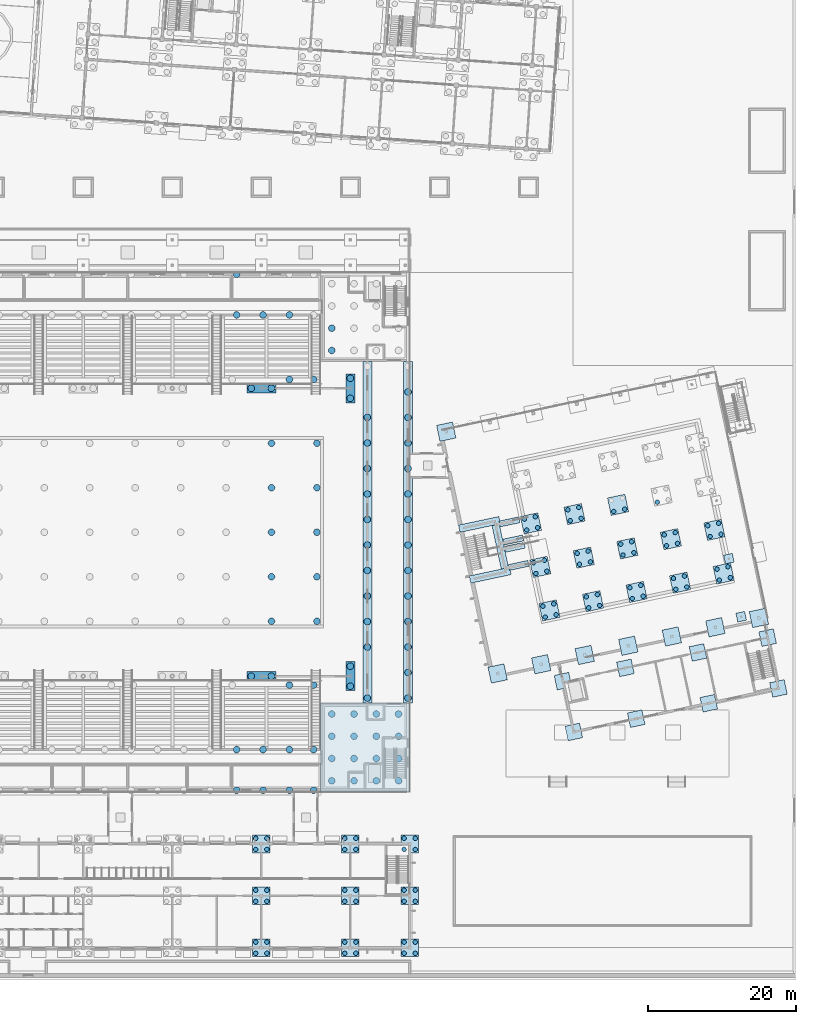
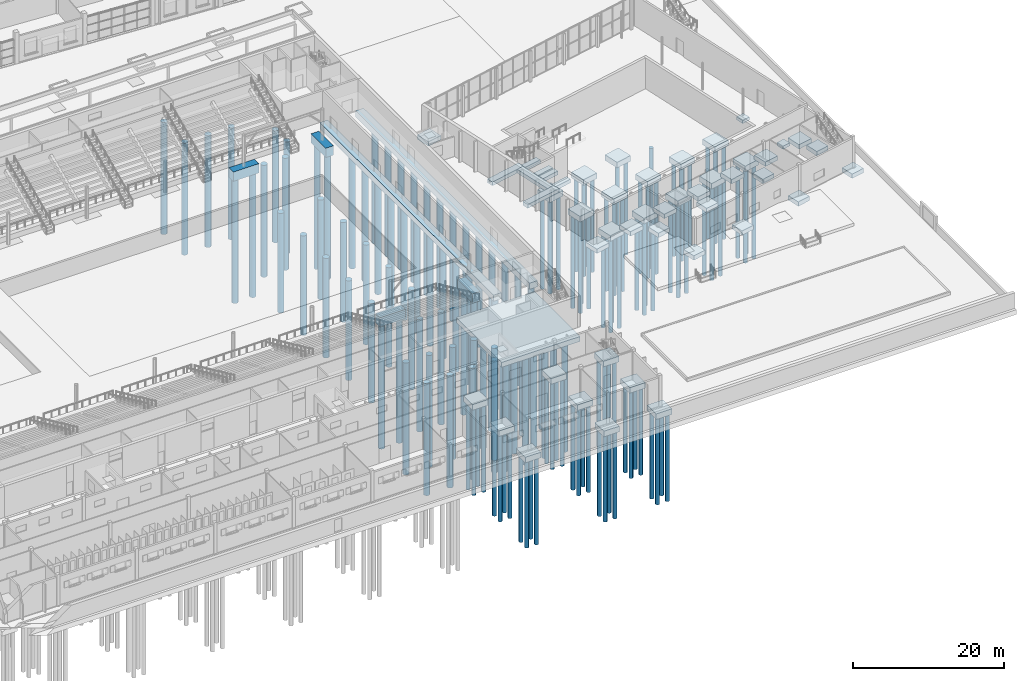
# One storey, part 5 of 157: 163 piles, 54 footings.
"""IFC4 building model written with IfcOpenShell, lengths in metres."""

from ifc_helpers import new_model, si_unit, direction, frame, origin, origin_2d, place, context, subcontext, project, spatial, rectangle, circle, extrude, material, material_profile, profile_set, type_object, element, save


model = new_model("IFC4")

# Units and contexts
model_context = context("Model", 3, precision=1e-05, world=origin(), true_north=direction((0.0, 1.0)))
body_context = subcontext(model_context, "Body", "Model", "MODEL_VIEW")
ifc_project = project(units=[si_unit("LENGTHUNIT", "METRE"), si_unit("AREAUNIT", "SQUARE_METRE"), si_unit("VOLUMEUNIT", "CUBIC_METRE"), si_unit("PLANEANGLEUNIT", "RADIAN"), si_unit("MASSUNIT", "GRAM", prefix="KILO")], contexts=[model_context])

# Site, building, storey
site_placement = place(None, origin())
site = spatial("IfcSite", under=ifc_project, at=site_placement, CompositionType="ELEMENT")
building_placement = place(site_placement, origin())
building = spatial("IfcBuilding", under=site, at=building_placement, Name="Windward Yard Aquatics Centre", CompositionType="ELEMENT")
storey_placement = place(building_placement, origin())
storey = spatial("IfcBuildingStorey", under=building, at=storey_placement, Name="L00", CompositionType="ELEMENT", Elevation=0.0)

# Piles
ifc_material_1 = material(Name="Concrete C35/45", Category="concrete")
ifc_material_profile_1 = material_profile(ifc_material_1, circle(Radius=0.300048828125, at=origin_2d()), Name="RC D600")
ifc_profile_set_1 = profile_set([ifc_material_profile_1], Name="Concrete C35/45")
pile_type_1 = type_object("IfcPileType", Name="C bored pile D600", PredefinedType="BORED", material=ifc_profile_set_1)
for number, where, z_axis, x_axis, name in (
    (1, (131.25, 4.25, -1.050048828125), (0.0, 0.0, -1.0), (1.0, 0.0, 0.0), "C.PL.8.1.1"),
    (2, (132.75, 4.25, -1.050048828125), (0.0, 0.0, -1.0), (1.0, 0.0, 0.0), "C.PL.8.1.2"),
    (3, (132.75, 5.75, -1.050048828125), (0.0, 0.0, -1.0), (1.0, 0.0, 0.0), "C.PL.8.1.3"),
    (4, (131.25, 5.75, -1.050048828125), (0.0, 0.0, -1.0), (1.0, 0.0, 0.0), "C.PL.8.1.4"),
    (5, (131.25, 11.25, -1.050048828125), (0.0, 0.0, -1.0), (1.0, 0.0, 0.0), "C.PL.8.2.1"),
    (6, (132.75, 11.25, -1.050048828125), (0.0, 0.0, -1.0), (1.0, 0.0, 0.0), "C.PL.8.2.2"),
    (7, (132.75, 12.75, -1.050048828125), (0.0, 0.0, -1.0), (1.0, 0.0, 0.0), "C.PL.8.2.3"),
    (8, (131.25, 12.75, -1.050048828125), (0.0, 0.0, -1.0), (1.0, 0.0, 0.0), "C.PL.8.2.4"),
    (9, (131.25, 18.25, -1.050048828125), (0.0, 0.0, -1.0), (1.0, 0.0, 0.0), "C.PL.8.3.1"),
    (10, (132.75, 18.25, -1.050048828125), (0.0, 0.0, -1.0), (1.0, 0.0, 0.0), "C.PL.8.3.2"),
    (11, (132.75, 19.75, -1.050048828125), (0.0, 0.0, -1.0), (1.0, 0.0, 0.0), "C.PL.8.3.3"),
    (12, (131.25, 19.75, -1.050048828125), (0.0, 0.0, -1.0), (1.0, 0.0, 0.0), "C.PL.8.3.4"),
    (13, (143.25, 4.25, -1.050048828125), (0.0, 0.0, -1.0), (1.0, 0.0, 0.0), "C.PL.9.1.1"),
    (14, (144.75, 4.25, -1.050048828125), (0.0, 0.0, -1.0), (1.0, 0.0, 0.0), "C.PL.9.1.2"),
    (15, (144.75, 5.75, -1.050048828125), (0.0, 0.0, -1.0), (1.0, 0.0, 0.0), "C.PL.9.1.3"),
    (16, (143.25, 5.75, -1.050048828125), (0.0, 0.0, -1.0), (1.0, 0.0, 0.0), "C.PL.9.1.4"),
    (17, (143.25, 11.25, -1.050048828125), (0.0, 0.0, -1.0), (1.0, 0.0, 0.0), "C.PL.9.2.1"),
    (18, (144.75, 11.25, -1.050048828125), (0.0, 0.0, -1.0), (1.0, 0.0, 0.0), "C.PL.9.2.2"),
    (19, (144.75, 12.75, -1.050048828125), (0.0, 0.0, -1.0), (1.0, 0.0, 0.0), "C.PL.9.2.3"),
    (20, (143.25, 12.75, -1.050048828125), (0.0, 0.0, -1.0), (1.0, 0.0, 0.0), "C.PL.9.2.4"),
    (21, (143.25, 18.25, -1.050048828125), (0.0, 0.0, -1.0), (1.0, 0.0, 0.0), "C.PL.9.3.1"),
    (22, (144.75, 18.25, -1.050048828125), (0.0, 0.0, -1.0), (1.0, 0.0, 0.0), "C.PL.9.3.2"),
    (23, (144.75, 19.75, -1.050048828125), (0.0, 0.0, -1.0), (1.0, 0.0, 0.0), "C.PL.9.3.3"),
    (24, (143.25, 19.75, -1.050048828125), (0.0, 0.0, -1.0), (1.0, 0.0, 0.0), "C.PL.9.3.4"),
    (25, (151.25, 4.25, -1.050048828125), (0.0, 0.0, -1.0), (1.0, 0.0, 0.0), "C.PL.10.1.1"),
    (26, (152.75, 4.25, -1.050048828125), (0.0, 0.0, -1.0), (1.0, 0.0, 0.0), "C.PL.10.1.2"),
    (27, (152.75, 5.75, -1.050048828125), (0.0, 0.0, -1.0), (1.0, 0.0, 0.0), "C.PL.10.1.3"),
    (28, (151.25, 5.75, -1.050048828125), (0.0, 0.0, -1.0), (1.0, 0.0, 0.0), "C.PL.10.1.4"),
    (29, (151.25, 11.25, -1.050048828125), (0.0, 0.0, -1.0), (1.0, 0.0, 0.0), "C.PL.10.2.1"),
    (30, (152.75, 11.25, -1.050048828125), (0.0, 0.0, -1.0), (1.0, 0.0, 0.0), "C.PL.10.2.2"),
    (31, (152.75, 12.75, -1.050048828125), (0.0, 0.0, -1.0), (1.0, 0.0, 0.0), "C.PL.10.2.3"),
    (32, (151.25, 12.75, -1.050048828125), (0.0, 0.0, -1.0), (1.0, 0.0, 0.0), "C.PL.10.2.4"),
    (33, (151.25, 18.25, -1.050048828125), (0.0, 0.0, -1.0), (1.0, 0.0, 0.0), "C.PL.10.3.1"),
    (34, (152.75, 18.25, -1.050048828125), (0.0, 0.0, -1.0), (1.0, 0.0, 0.0), "C.PL.10.3.2"),
    (35, (152.75, 19.75, -1.050048828125), (0.0, 0.0, -1.0), (1.0, 0.0, 0.0), "C.PL.10.3.3"),
    (36, (151.25, 19.75, -1.050048828125), (0.0, 0.0, -1.0), (1.0, 0.0, 0.0), "C.PL.10.3.4"),
):
    element("IfcPile", number, at=place(storey_placement, frame(where, z_axis=z_axis, x_axis=x_axis)), inside=storey, type_object=pile_type_1, Name=name, PredefinedType="BORED", context=body_context, shape_type="SweptSolid", body=[
        extrude(circle(Radius=0.300048828125, at=origin_2d()), origin(), (0.0, 0.0, 1.0), 14.10009765625),
    ])

# Footings
footing_type_1 = type_object("IfcFootingType", Name="C pile cap 2400X2400X900", PredefinedType="PILE_CAP", material=ifc_material_1)
for number, where, z_axis, x_axis, name in (
    (37, (132.0, 5.0, -1.14990234375), (0.0, 0.0, 1.0), (1.0, 0.0, 0.0), "C.PC.8.1"),
    (38, (132.0, 12.0, -1.14990234375), (0.0, 0.0, 1.0), (1.0, 0.0, 0.0), "C.PC.8.2"),
    (39, (132.0, 19.0, -1.14990234375), (0.0, 0.0, 1.0), (1.0, 0.0, 0.0), "C.PC.8.3"),
    (40, (144.0, 5.0, -1.14990234375), (0.0, 0.0, 1.0), (1.0, 0.0, 0.0), "C.PC.9.1"),
    (41, (144.0, 12.0, -1.14990234375), (0.0, 0.0, 1.0), (1.0, 0.0, 0.0), "C.PC.9.2"),
    (42, (144.0, 19.0, -1.14990234375), (0.0, 0.0, 1.0), (1.0, 0.0, 0.0), "C.PC.9.3"),
    (43, (152.0, 5.0, -1.14990234375), (0.0, 0.0, 1.0), (1.0, 0.0, 0.0), "C.PC.10.1"),
    (44, (152.0, 12.0, -1.14990234375), (0.0, 0.0, 1.0), (1.0, 0.0, 0.0), "C.PC.10.2"),
    (45, (152.0, 19.0, -1.14990234375), (0.0, 0.0, 1.0), (1.0, 0.0, 0.0), "C.PC.10.3"),
):
    element("IfcFooting", number, at=place(storey_placement, frame(where, z_axis=z_axis, x_axis=x_axis)), inside=storey, type_object=footing_type_1, Name=name, PredefinedType="PILE_CAP", context=body_context, shape_type="SweptSolid", body=[
        extrude(rectangle(XDim=2.39990234375, YDim=2.39990234375, at=origin_2d()), origin(), (0.0, 0.0, 1.0), 0.89990234375),
    ])

# Piles
ifc_material_2 = material(Name="Concrete C40/50", Category="concrete")
ifc_material_profile_2 = material_profile(ifc_material_2, circle(Radius=0.300048828125, at=origin_2d()), Name="RC D600")
ifc_profile_set_2 = profile_set([ifc_material_profile_2], Name="Concrete C40/50")
pile_type_2 = type_object("IfcPileType", Name="D bored pile D600", PredefinedType="BORED", material=ifc_profile_set_2)
for number, where, z_axis, x_axis, name in (
    (46, (170.26513671875, 49.5703125, -6.39990234375), (0.0, 0.0, -1.0), (1.0, 0.0, 0.0), "D.PL.T1.1.1"),
    (47, (171.732421875, 49.882080078125, -6.39990234375), (0.0, 0.0, -1.0), (1.0, 0.0, 0.0), "D.PL.T1.1.2"),
    (48, (171.420654296875, 51.349365234375, -6.39990234375), (0.0, 0.0, -1.0), (1.0, 0.0, 0.0), "D.PL.T1.1.3"),
    (49, (169.953369140625, 51.03759765625, -6.39990234375), (0.0, 0.0, -1.0), (1.0, 0.0, 0.0), "D.PL.T1.1.4"),
    (50, (169.017822265625, 55.439208984375, -6.39990234375), (0.0, 0.0, -1.0), (1.0, 0.0, 0.0), "D.PL.T1.2.1"),
    (51, (170.485107421875, 55.7509765625, -6.39990234375), (0.0, 0.0, -1.0), (1.0, 0.0, 0.0), "D.PL.T1.2.2"),
    (52, (170.173095703125, 57.21826171875, -6.39990234375), (0.0, 0.0, -1.0), (1.0, 0.0, 0.0), "D.PL.T1.2.3"),
    (53, (168.7060546875, 56.906494140625, -6.39990234375), (0.0, 0.0, -1.0), (1.0, 0.0, 0.0), "D.PL.T1.2.4"),
    (54, (167.770263671875, 61.30810546875, -6.39990234375), (0.0, 0.0, -1.0), (1.0, 0.0, 0.0), "D.PL.T1.3.1"),
    (55, (169.237548828125, 61.619873046875, -6.39990234375), (0.0, 0.0, -1.0), (1.0, 0.0, 0.0), "D.PL.T1.3.2"),
    (56, (168.92578125, 63.087158203125, -6.39990234375), (0.0, 0.0, -1.0), (1.0, 0.0, 0.0), "D.PL.T1.3.3"),
    (57, (167.45849609375, 62.775390625, -6.39990234375), (0.0, 0.0, -1.0), (1.0, 0.0, 0.0), "D.PL.T1.3.4"),
    (58, (176.134033203125, 50.81787109375, -6.39990234375), (0.0, 0.0, -1.0), (1.0, 0.0, 0.0), "D.PL.T2.1.1"),
    (59, (177.601318359375, 51.129638671875, -6.39990234375), (0.0, 0.0, -1.0), (1.0, 0.0, 0.0), "D.PL.T2.1.2"),
    (60, (177.28955078125, 52.596923828125, -6.39990234375), (0.0, 0.0, -1.0), (1.0, 0.0, 0.0), "D.PL.T2.1.3"),
    (61, (175.822265625, 52.284912109375, -6.39990234375), (0.0, 0.0, -1.0), (1.0, 0.0, 0.0), "D.PL.T2.1.4"),
    (62, (174.88671875, 56.6865234375, -6.39990234375), (0.0, 0.0, -1.0), (1.0, 0.0, 0.0), "D.PL.T2.2.1"),
    (63, (176.35400390625, 56.99853515625, -6.39990234375), (0.0, 0.0, -1.0), (1.0, 0.0, 0.0), "D.PL.T2.2.2"),
    (64, (176.0419921875, 58.465576171875, -6.39990234375), (0.0, 0.0, -1.0), (1.0, 0.0, 0.0), "D.PL.T2.2.3"),
    (65, (174.574951171875, 58.15380859375, -6.39990234375), (0.0, 0.0, -1.0), (1.0, 0.0, 0.0), "D.PL.T2.2.4"),
    (66, (173.63916015625, 62.555419921875, -6.39990234375), (0.0, 0.0, -1.0), (1.0, 0.0, 0.0), "D.PL.T2.3.1"),
    (67, (175.1064453125, 62.867431640625, -6.39990234375), (0.0, 0.0, -1.0), (1.0, 0.0, 0.0), "D.PL.T2.3.2"),
    (68, (174.794677734375, 64.33447265625, -6.39990234375), (0.0, 0.0, -1.0), (1.0, 0.0, 0.0), "D.PL.T2.3.3"),
    (69, (173.327392578125, 64.022705078125, -6.39990234375), (0.0, 0.0, -1.0), (1.0, 0.0, 0.0), "D.PL.T2.3.4"),
    (70, (182.0029296875, 52.065185546875, -6.39990234375), (0.0, 0.0, -1.0), (1.0, 0.0, 0.0), "D.PL.T3.1.1"),
    (71, (183.47021484375, 52.376953125, -6.39990234375), (0.0, 0.0, -1.0), (1.0, 0.0, 0.0), "D.PL.T3.1.2"),
    (72, (183.158447265625, 53.84423828125, -6.39990234375), (0.0, 0.0, -1.0), (1.0, 0.0, 0.0), "D.PL.T3.1.3"),
    (73, (181.691162109375, 53.532470703125, -6.39990234375), (0.0, 0.0, -1.0), (1.0, 0.0, 0.0), "D.PL.T3.1.4"),
    (74, (180.755615234375, 57.93408203125, -6.39990234375), (0.0, 0.0, -1.0), (1.0, 0.0, 0.0), "D.PL.T3.2.1"),
    (75, (182.22265625, 58.245849609375, -6.39990234375), (0.0, 0.0, -1.0), (1.0, 0.0, 0.0), "D.PL.T3.2.2"),
    (76, (181.910888671875, 59.713134765625, -6.39990234375), (0.0, 0.0, -1.0), (1.0, 0.0, 0.0), "D.PL.T3.2.3"),
    (77, (180.443603515625, 59.4013671875, -6.39990234375), (0.0, 0.0, -1.0), (1.0, 0.0, 0.0), "D.PL.T3.2.4"),
    (78, (179.508056640625, 63.802978515625, -6.39990234375), (0.0, 0.0, -1.0), (1.0, 0.0, 0.0), "D.PL.T3.3.1"),
    (79, (180.975341796875, 64.11474609375, -6.39990234375), (0.0, 0.0, -1.0), (1.0, 0.0, 0.0), "D.PL.T3.3.2"),
    (80, (187.871826171875, 53.312744140625, -6.39990234375), (0.0, 0.0, -1.0), (1.0, 0.0, 0.0), "D.PL.T4.1.1"),
    (81, (189.339111328125, 53.62451171875, -6.39990234375), (0.0, 0.0, -1.0), (1.0, 0.0, 0.0), "D.PL.T4.1.2"),
    (82, (189.02734375, 55.091796875, -6.39990234375), (0.0, 0.0, -1.0), (1.0, 0.0, 0.0), "D.PL.T4.1.3"),
    (83, (187.56005859375, 54.77978515625, -6.39990234375), (0.0, 0.0, -1.0), (1.0, 0.0, 0.0), "D.PL.T4.1.4"),
    (84, (186.62451171875, 59.181640625, -6.39990234375), (0.0, 0.0, -1.0), (1.0, 0.0, 0.0), "D.PL.T4.2.1"),
    (85, (188.091552734375, 59.493408203125, -6.39990234375), (0.0, 0.0, -1.0), (1.0, 0.0, 0.0), "D.PL.T4.2.2"),
    (86, (187.77978515625, 60.960693359375, -6.39990234375), (0.0, 0.0, -1.0), (1.0, 0.0, 0.0), "D.PL.T4.2.3"),
    (87, (186.3125, 60.648681640625, -6.39990234375), (0.0, 0.0, -1.0), (1.0, 0.0, 0.0), "D.PL.T4.2.4"),
    (88, (185.376953125, 65.050537109375, -6.39990234375), (0.0, 0.0, -1.0), (1.0, 0.0, 0.0), "D.PL.T4.3.1"),
    (89, (193.74072265625, 54.56005859375, -6.39990234375), (0.0, 0.0, -1.0), (1.0, 0.0, 0.0), "D.PL.T5.1.1"),
    (90, (195.2080078125, 54.8720703125, -6.39990234375), (0.0, 0.0, -1.0), (1.0, 0.0, 0.0), "D.PL.T5.1.2"),
    (91, (194.896240234375, 56.33935546875, -6.39990234375), (0.0, 0.0, -1.0), (1.0, 0.0, 0.0), "D.PL.T5.1.3"),
    (92, (193.428955078125, 56.02734375, -6.39990234375), (0.0, 0.0, -1.0), (1.0, 0.0, 0.0), "D.PL.T5.1.4"),
    (93, (192.493408203125, 60.428955078125, -6.39990234375), (0.0, 0.0, -1.0), (1.0, 0.0, 0.0), "D.PL.T5.2.1"),
    (94, (193.96044921875, 60.74072265625, -6.39990234375), (0.0, 0.0, -1.0), (1.0, 0.0, 0.0), "D.PL.T5.2.2"),
    (95, (193.648681640625, 62.2080078125, -6.39990234375), (0.0, 0.0, -1.0), (1.0, 0.0, 0.0), "D.PL.T5.2.3"),
    (96, (192.181396484375, 61.896240234375, -6.39990234375), (0.0, 0.0, -1.0), (1.0, 0.0, 0.0), "D.PL.T5.2.4"),
):
    element("IfcPile", number, at=place(storey_placement, frame(where, z_axis=z_axis, x_axis=x_axis)), inside=storey, type_object=pile_type_2, Name=name, PredefinedType="BORED", context=body_context, shape_type="SweptSolid", body=[
        extrude(circle(Radius=0.300048828125, at=origin_2d()), origin(), (0.0, 0.0, 1.0), 15.10009765625),
    ])

# Footings
footing_type_2 = type_object("IfcFootingType", Name="D pad footing 1200X1200X500", PredefinedType="PAD_FOOTING", material=ifc_material_1)
for number, where, z_axis, x_axis, name in (
    (97, (196.68359375, 49.614013671875, -0.75), (0.0, 0.0, 1.0), (0.978147600734, 0.207911690818, 0.0), "D.PF.G1"),
    (98, (195.020263671875, 57.43896484375, -0.75), (0.0, 0.0, 1.0), (0.978147600734, 0.207911690818, 0.0), "D.PF.G2"),
):
    element("IfcFooting", number, at=place(storey_placement, frame(where, z_axis=z_axis, x_axis=x_axis)), inside=storey, type_object=footing_type_2, Name=name, PredefinedType="PAD_FOOTING", context=body_context, shape_type="SweptSolid", body=[
        extrude(rectangle(XDim=1.199951171875, YDim=1.199951171875, at=origin_2d()), origin(), (0.0, 0.0, 1.0), 0.5),
    ])
footing_type_3 = type_object("IfcFootingType", Name="D pad footing 2000X2000X700", PredefinedType="PAD_FOOTING", material=ifc_material_1)
for number, where, z_axis, x_axis, name in (
    (99, (174.119384765625, 34.0830078125, -0.9501953125), (0.0, 0.0, 1.0), (0.978147600734, 0.207911690818, 0.0), "D.PF.1.1"),
    (100, (172.6640625, 40.93017578125, -0.9501953125), (0.0, 0.0, 1.0), (0.978147600734, 0.207911690818, 0.0), "D.PF.1.2"),
    (101, (182.531494140625, 35.87109375, -0.9501953125), (0.0, 0.0, 1.0), (0.978147600734, 0.207911690818, 0.0), "D.PF.2.1"),
    (102, (181.076171875, 42.71826171875, -0.9501953125), (0.0, 0.0, 1.0), (0.978147600734, 0.207911690818, 0.0), "D.PF.2.2"),
    (103, (192.31298828125, 37.9501953125, -0.9501953125), (0.0, 0.0, 1.0), (0.978147600734, 0.207911690818, 0.0), "D.PF.3.1"),
    (104, (190.857666015625, 44.79736328125, -0.9501953125), (0.0, 0.0, 1.0), (0.978147600734, 0.207911690818, 0.0), "D.PF.3.2"),
    (105, (201.703125, 39.9462890625, -0.9501953125), (0.0, 0.0, 1.0), (0.978147600734, 0.207911690818, 0.0), "D.PF.4.1"),
    (106, (200.247802734375, 46.793212890625, -0.9501953125), (0.0, 0.0, 1.0), (0.978147600734, 0.207911690818, 0.0), "D.PF.4.2"),
):
    element("IfcFooting", number, at=place(storey_placement, frame(where, z_axis=z_axis, x_axis=x_axis)), inside=storey, type_object=footing_type_3, Name=name, PredefinedType="PAD_FOOTING", context=body_context, shape_type="SweptSolid", body=[
        extrude(rectangle(XDim=2.0, YDim=2.0, at=origin_2d()), origin(), (0.0, 0.0, 1.0), 0.699951171875),
    ])
footing_type_4 = type_object("IfcFootingType", Name="D pad footing 2200X2200X700", PredefinedType="PAD_FOOTING", material=ifc_material_1)
for number, where, z_axis, x_axis, name in (
    (107, (163.857177734375, 41.961669921875, -0.9501953125), (0.0, 0.0, 1.0), (0.978147600734, 0.207911690818, 0.0), "D.PF.H1.1"),
    (108, (156.929443359375, 74.553466796875, -0.9501953125), (0.0, 0.0, 1.0), (0.978147600734, 0.207911690818, 0.0), "D.PF.H1.2"),
    (109, (169.72607421875, 43.208984375, -0.9501953125), (0.0, 0.0, 1.0), (0.978147600734, 0.207911690818, 0.0), "D.PF.H2.1"),
    (110, (175.594970703125, 44.45654296875, -0.9501953125), (0.0, 0.0, 1.0), (0.978147600734, 0.207911690818, 0.0), "D.PF.H3.1"),
    (111, (181.4638671875, 45.7041015625, -0.9501953125), (0.0, 0.0, 1.0), (0.978147600734, 0.207911690818, 0.0), "D.PF.H4.1"),
    (112, (187.332763671875, 46.951416015625, -0.9501953125), (0.0, 0.0, 1.0), (0.978147600734, 0.207911690818, 0.0), "D.PF.H5.1"),
    (113, (193.20166015625, 48.198974609375, -0.9501953125), (0.0, 0.0, 1.0), (0.978147600734, 0.207911690818, 0.0), "D.PF.H6.1"),
    (114, (199.070556640625, 49.446533203125, -0.9501953125), (0.0, 0.0, 1.0), (0.978147600734, 0.207911690818, 0.0), "D.PF.H7.1"),
):
    element("IfcFooting", number, at=place(storey_placement, frame(where, z_axis=z_axis, x_axis=x_axis)), inside=storey, type_object=footing_type_4, Name=name, PredefinedType="PAD_FOOTING", context=body_context, shape_type="SweptSolid", body=[
        extrude(rectangle(XDim=2.199951171875, YDim=2.199951171875, at=origin_2d()), origin(), (0.0, 0.0, 1.0), 0.699951171875),
    ])
footing_type_5 = type_object("IfcFootingType", Name="D pile cap 2400X2400X900", PredefinedType="PILE_CAP", material=ifc_material_2)
for number, where, z_axis, x_axis, name in (
    (115, (170.843017578125, 50.459716796875, -6.5), (0.0, 0.0, 1.0), (0.978147600734, 0.207911690818, 0.0), "D.PC.T1.1"),
    (116, (169.595458984375, 56.32861328125, -6.5), (0.0, 0.0, 1.0), (0.978147600734, 0.207911690818, 0.0), "D.PC.T1.2"),
    (117, (168.347900390625, 62.197509765625, -6.5), (0.0, 0.0, 1.0), (0.978147600734, 0.207911690818, 0.0), "D.PC.T1.3"),
    (118, (176.7119140625, 51.707275390625, -6.5), (0.0, 0.0, 1.0), (0.978147600734, 0.207911690818, 0.0), "D.PC.T2.1"),
    (119, (175.46435546875, 57.576171875, -6.5), (0.0, 0.0, 1.0), (0.978147600734, 0.207911690818, 0.0), "D.PC.T2.2"),
    (120, (174.216796875, 63.445068359375, -6.5), (0.0, 0.0, 1.0), (0.978147600734, 0.207911690818, 0.0), "D.PC.T2.3"),
    (121, (182.580810546875, 52.95458984375, -6.5), (0.0, 0.0, 1.0), (0.978147600734, 0.207911690818, 0.0), "D.PC.T3.1"),
    (122, (181.333251953125, 58.823486328125, -6.5), (0.0, 0.0, 1.0), (0.978147600734, 0.207911690818, 0.0), "D.PC.T3.2"),
    (123, (180.085693359375, 64.6923828125, -6.5), (0.0, 0.0, 1.0), (0.978147600734, 0.207911690818, 0.0), "D.PC.T3.3"),
    (124, (188.44970703125, 54.2021484375, -6.5), (0.0, 0.0, 1.0), (0.978147600734, 0.207911690818, 0.0), "D.PC.T4.1"),
    (125, (187.2021484375, 60.071044921875, -6.5), (0.0, 0.0, 1.0), (0.978147600734, 0.207911690818, 0.0), "D.PC.T4.2"),
    (126, (194.318603515625, 55.44970703125, -6.5), (0.0, 0.0, 1.0), (0.978147600734, 0.207911690818, 0.0), "D.PC.T5.1"),
    (127, (193.071044921875, 61.318603515625, -6.5), (0.0, 0.0, 1.0), (0.978147600734, 0.207911690818, 0.0), "D.PC.T5.2"),
):
    element("IfcFooting", number, at=place(storey_placement, frame(where, z_axis=z_axis, x_axis=x_axis)), inside=storey, type_object=footing_type_5, Name=name, PredefinedType="PILE_CAP", context=body_context, shape_type="SweptSolid", body=[
        extrude(rectangle(XDim=2.39990234375, YDim=2.39990234375, at=origin_2d()), origin(), (0.0, 0.0, 1.0), 0.89990234375),
    ])
footing_type_6 = type_object("IfcFootingType", Name="D strip footing 1000X600", PredefinedType="STRIP_FOOTING", material=ifc_material_1)
for number, where, z_axis, x_axis, name in (
    (128, (162.857177734375, 55.203125, -0.85009765625), (0.0, 0.0, 1.0), (0.978147600734, 0.207911690818, 0.0), "D.SF.TS"),
    (129, (161.40185546875, 62.050048828125, -0.85009765625), (0.0, 0.0, 1.0), (0.978147600734, 0.207911690818, 0.0), "D.SF.TN"),
):
    element("IfcFooting", number, at=place(storey_placement, frame(where, z_axis=z_axis, x_axis=x_axis)), inside=storey, type_object=footing_type_6, Name=name, PredefinedType="STRIP_FOOTING", context=body_context, shape_type="SweptSolid", body=[
        extrude(rectangle(XDim=5.550048828125, YDim=1.0, at=origin_2d()), origin(), (0.0, 0.0, 1.0), 0.60009765625),
    ])
footing_type_7 = type_object("IfcFootingType", Name="D strip footing 6000X600", PredefinedType="STRIP_FOOTING", material=ifc_material_1)
footing_1_placement = place(storey_placement, frame((164.2080078125, 59.068359375, -0.85009765625), z_axis=(0.0, 0.0, 1.0), x_axis=(0.978147600734, 0.207911690818, 0.0)))
element("IfcFooting", 130, at=footing_1_placement, inside=storey, type_object=footing_type_7, Name="D.SF.TE", PredefinedType="STRIP_FOOTING", context=body_context, shape_type="SweptSolid", body=[
    extrude(rectangle(XDim=1.0, YDim=6.0, at=origin_2d()), origin(), (0.0, 0.0, 1.0), 0.60009765625),
])
footing_type_8 = type_object("IfcFootingType", Name="D strip footing 800X600", PredefinedType="STRIP_FOOTING", material=ifc_material_1)
for number, where, z_axis, x_axis, name in (
    (131, (166.690185546875, 56.529052734375, -0.85009765625), (0.0, 0.0, 1.0), (0.978147600734, 0.207911690818, 0.0), "D.SF.P1S"),
    (132, (165.44287109375, 62.39794921875, -0.85009765625), (0.0, 0.0, 1.0), (0.978147600734, 0.207911690818, 0.0), "D.SF.P1N"),
    (133, (166.170654296875, 58.974365234375, -0.85009765625), (0.0, 0.0, 1.0), (0.978147600734, 0.207911690818, 0.0), "D.SF.P1SI"),
    (134, (165.962646484375, 59.95263671875, -0.85009765625), (0.0, 0.0, 1.0), (0.978147600734, 0.207911690818, 0.0), "D.SF.P1NI"),
):
    element("IfcFooting", number, at=place(storey_placement, frame(where, z_axis=z_axis, x_axis=x_axis)), inside=storey, type_object=footing_type_8, Name=name, PredefinedType="STRIP_FOOTING", context=body_context, shape_type="SweptSolid", body=[
        extrude(rectangle(XDim=2.699951171875, YDim=0.800048828125, at=origin_2d()), origin(), (0.0, 0.0, 1.0), 0.60009765625),
    ])

# Piles
ifc_material_profile_3 = material_profile(ifc_material_1, circle(Radius=0.449951171875, at=origin_2d()), Name="RC D900")
ifc_profile_set_3 = profile_set([ifc_material_profile_3], Name="Concrete C35/45")
pile_type_3 = type_object("IfcPileType", Name="H bored pile RC D900 C35/45", PredefinedType="BORED", material=ifc_profile_set_3)
for number, where, z_axis, x_axis, name in (
    (135, (128.678466796875, 26.22509765625, -0.89990234375), (0.0, 0.0, -1.0), (1.0, 0.0, 0.0), "H.PL.PW.S.19"),
    (136, (132.235595703125, 26.22509765625, -0.89990234375), (0.0, 0.0, -1.0), (1.0, 0.0, 0.0), "H.PL.PW.S.20"),
    (137, (135.79296875, 26.22509765625, -0.89990234375), (0.0, 0.0, -1.0), (1.0, 0.0, 0.0), "H.PL.PW.S.21"),
    (138, (139.050048828125, 26.22509765625, -0.89990234375), (0.0, 0.0, -1.0), (1.0, 0.0, 0.0), "H.PL.PW.S.22"),
    (139, (128.678466796875, 31.709716796875, -0.89990234375), (0.0, 0.0, -1.0), (1.0, 0.0, 0.0), "H.PL.RW.S.19"),
    (140, (132.235595703125, 31.709716796875, -0.89990234375), (0.0, 0.0, -1.0), (1.0, 0.0, 0.0), "H.PL.RW.S.20"),
    (141, (135.79296875, 31.709716796875, -0.89990234375), (0.0, 0.0, -1.0), (1.0, 0.0, 0.0), "H.PL.RW.S.21"),
    (142, (139.050048828125, 31.709716796875, -0.89990234375), (0.0, 0.0, -1.0), (1.0, 0.0, 0.0), "H.PL.RW.S.22"),
    (143, (128.678466796875, 95.77490234375, -0.89990234375), (0.0, 0.0, -1.0), (1.0, 0.0, 0.0), "H.PL.PW.N.19"),
    (144, (128.678466796875, 90.290283203125, -0.89990234375), (0.0, 0.0, -1.0), (1.0, 0.0, 0.0), "H.PL.RW.N.19"),
    (145, (132.235595703125, 90.290283203125, -0.89990234375), (0.0, 0.0, -1.0), (1.0, 0.0, 0.0), "H.PL.RW.N.20"),
    (146, (135.79296875, 90.290283203125, -0.89990234375), (0.0, 0.0, -1.0), (1.0, 0.0, 0.0), "H.PL.RW.N.21"),
    (147, (151.77490234375, 38.64990234375, -0.89990234375), (0.0, 0.0, -1.0), (1.0, 0.0, 0.0), "H.PL.PW.E.01"),
    (148, (151.77490234375, 42.08837890625, -0.89990234375), (0.0, 0.0, -1.0), (1.0, 0.0, 0.0), "H.PL.PW.E.02"),
    (149, (151.77490234375, 45.52685546875, -0.89990234375), (0.0, 0.0, -1.0), (1.0, 0.0, 0.0), "H.PL.PW.E.03"),
    (150, (151.77490234375, 48.96533203125, -0.89990234375), (0.0, 0.0, -1.0), (1.0, 0.0, 0.0), "H.PL.PW.E.04"),
    (151, (151.77490234375, 52.40380859375, -0.89990234375), (0.0, 0.0, -1.0), (1.0, 0.0, 0.0), "H.PL.PW.E.05"),
    (152, (151.77490234375, 55.84228515625, -0.89990234375), (0.0, 0.0, -1.0), (1.0, 0.0, 0.0), "H.PL.PW.E.06"),
    (153, (151.77490234375, 59.28076171875, -0.89990234375), (0.0, 0.0, -1.0), (1.0, 0.0, 0.0), "H.PL.PW.E.07"),
    (154, (151.77490234375, 62.71923828125, -0.89990234375), (0.0, 0.0, -1.0), (1.0, 0.0, 0.0), "H.PL.PW.E.08"),
    (155, (151.77490234375, 66.15771484375, -0.89990234375), (0.0, 0.0, -1.0), (1.0, 0.0, 0.0), "H.PL.PW.E.09"),
    (156, (151.77490234375, 69.59619140625, -0.89990234375), (0.0, 0.0, -1.0), (1.0, 0.0, 0.0), "H.PL.PW.E.10"),
    (157, (151.77490234375, 73.03466796875, -0.89990234375), (0.0, 0.0, -1.0), (1.0, 0.0, 0.0), "H.PL.PW.E.11"),
    (158, (151.77490234375, 76.47314453125, -0.89990234375), (0.0, 0.0, -1.0), (1.0, 0.0, 0.0), "H.PL.PW.E.12"),
    (159, (151.77490234375, 79.91162109375, -0.89990234375), (0.0, 0.0, -1.0), (1.0, 0.0, 0.0), "H.PL.PW.E.13"),
    (160, (146.290283203125, 38.64990234375, -0.89990234375), (0.0, 0.0, -1.0), (1.0, 0.0, 0.0), "H.PL.RW.E.01"),
    (161, (146.290283203125, 45.52685546875, -0.89990234375), (0.0, 0.0, -1.0), (1.0, 0.0, 0.0), "H.PL.RW.E.02"),
    (162, (146.290283203125, 48.96533203125, -0.89990234375), (0.0, 0.0, -1.0), (1.0, 0.0, 0.0), "H.PL.RW.E.03"),
    (163, (146.290283203125, 52.40380859375, -0.89990234375), (0.0, 0.0, -1.0), (1.0, 0.0, 0.0), "H.PL.RW.E.04"),
    (164, (146.290283203125, 55.84228515625, -0.89990234375), (0.0, 0.0, -1.0), (1.0, 0.0, 0.0), "H.PL.RW.E.05"),
    (165, (146.290283203125, 59.28076171875, -0.89990234375), (0.0, 0.0, -1.0), (1.0, 0.0, 0.0), "H.PL.RW.E.06"),
    (166, (146.290283203125, 62.71923828125, -0.89990234375), (0.0, 0.0, -1.0), (1.0, 0.0, 0.0), "H.PL.RW.E.07"),
    (167, (146.290283203125, 66.15771484375, -0.89990234375), (0.0, 0.0, -1.0), (1.0, 0.0, 0.0), "H.PL.RW.E.08"),
    (168, (146.290283203125, 69.59619140625, -0.89990234375), (0.0, 0.0, -1.0), (1.0, 0.0, 0.0), "H.PL.RW.E.09"),
    (169, (146.290283203125, 73.03466796875, -0.89990234375), (0.0, 0.0, -1.0), (1.0, 0.0, 0.0), "H.PL.RW.E.10"),
    (170, (146.290283203125, 76.47314453125, -0.89990234375), (0.0, 0.0, -1.0), (1.0, 0.0, 0.0), "H.PL.RW.E.11"),
    (171, (135.79296875, 40.39990234375, -1.699951171875), (0.0, 0.0, -1.0), (1.0, 0.0, 0.0), "H.PL.SW.S.12"),
    (172, (139.050048828125, 40.39990234375, -1.699951171875), (0.0, 0.0, -1.0), (1.0, 0.0, 0.0), "H.PL.SW.S.13"),
    (173, (135.79296875, 81.60009765625, -1.699951171875), (0.0, 0.0, -1.0), (1.0, 0.0, 0.0), "H.PL.SW.N.12"),
    (174, (139.050048828125, 81.60009765625, -1.699951171875), (0.0, 0.0, -1.0), (1.0, 0.0, 0.0), "H.PL.SW.N.13"),
    (175, (141.5, 27.5, -2.300048828125), (0.0, 0.0, -1.0), (1.0, 0.0, 0.0), "H.PL.CR.SE.01"),
    (176, (141.5, 30.5, -2.300048828125), (0.0, 0.0, -1.0), (1.0, 0.0, 0.0), "H.PL.CR.SE.02"),
    (177, (141.5, 33.5, -2.300048828125), (0.0, 0.0, -1.0), (1.0, 0.0, 0.0), "H.PL.CR.SE.03"),
    (178, (141.5, 36.5, -2.300048828125), (0.0, 0.0, -1.0), (1.0, 0.0, 0.0), "H.PL.CR.SE.04"),
    (179, (144.5, 27.5, -2.300048828125), (0.0, 0.0, -1.0), (1.0, 0.0, 0.0), "H.PL.CR.SE.05"),
    (180, (144.5, 30.5, -2.300048828125), (0.0, 0.0, -1.0), (1.0, 0.0, 0.0), "H.PL.CR.SE.06"),
    (181, (144.5, 33.5, -2.300048828125), (0.0, 0.0, -1.0), (1.0, 0.0, 0.0), "H.PL.CR.SE.07"),
    (182, (144.5, 36.5, -2.300048828125), (0.0, 0.0, -1.0), (1.0, 0.0, 0.0), "H.PL.CR.SE.08"),
    (183, (147.5, 27.5, -2.300048828125), (0.0, 0.0, -1.0), (1.0, 0.0, 0.0), "H.PL.CR.SE.09"),
    (184, (147.5, 30.5, -2.300048828125), (0.0, 0.0, -1.0), (1.0, 0.0, 0.0), "H.PL.CR.SE.10"),
    (185, (147.5, 33.5, -2.300048828125), (0.0, 0.0, -1.0), (1.0, 0.0, 0.0), "H.PL.CR.SE.11"),
    (186, (147.5, 36.5, -2.300048828125), (0.0, 0.0, -1.0), (1.0, 0.0, 0.0), "H.PL.CR.SE.12"),
    (187, (150.5, 27.5, -2.300048828125), (0.0, 0.0, -1.0), (1.0, 0.0, 0.0), "H.PL.CR.SE.13"),
    (188, (150.5, 30.5, -2.300048828125), (0.0, 0.0, -1.0), (1.0, 0.0, 0.0), "H.PL.CR.SE.14"),
    (189, (150.5, 33.5, -2.300048828125), (0.0, 0.0, -1.0), (1.0, 0.0, 0.0), "H.PL.CR.SE.15"),
    (190, (150.5, 36.5, -2.300048828125), (0.0, 0.0, -1.0), (1.0, 0.0, 0.0), "H.PL.CR.SE.16"),
    (191, (141.5, 85.5, -2.300048828125), (0.0, 0.0, -1.0), (1.0, 0.0, 0.0), "H.PL.CR.NE.01"),
    (192, (141.5, 88.5, -2.300048828125), (0.0, 0.0, -1.0), (1.0, 0.0, 0.0), "H.PL.CR.NE.02"),
):
    element("IfcPile", number, at=place(storey_placement, frame(where, z_axis=z_axis, x_axis=x_axis)), inside=storey, type_object=pile_type_3, Name=name, PredefinedType="BORED", context=body_context, shape_type="SweptSolid", body=[
        extrude(circle(Radius=0.449951171875, at=origin_2d()), origin(), (0.0, 0.0, 1.0), 18.10009765625),
    ])
for number, where, z_axis, x_axis, name in (
    (193, (130.64990234375, 41.60009765625, -1.39990234375), (0.0, 0.0, -1.0), (1.0, 0.0, 0.0), "H.PL.AC.S7.1"),
    (194, (133.35009765625, 41.60009765625, -1.39990234375), (0.0, 0.0, -1.0), (1.0, 0.0, 0.0), "H.PL.AC.S7.2"),
    (195, (130.64990234375, 80.39990234375, -1.39990234375), (0.0, 0.0, -1.0), (1.0, 0.0, 0.0), "H.PL.AC.N7.1"),
    (196, (133.35009765625, 80.39990234375, -1.39990234375), (0.0, 0.0, -1.0), (1.0, 0.0, 0.0), "H.PL.AC.N7.2"),
    (197, (144.0, 40.25, -1.39990234375), (0.0, 0.0, -1.0), (1.0, 0.0, 0.0), "H.PL.AC.S8.1"),
    (198, (144.0, 42.949951171875, -1.39990234375), (0.0, 0.0, -1.0), (1.0, 0.0, 0.0), "H.PL.AC.S8.2"),
    (199, (144.0, 79.050048828125, -1.39990234375), (0.0, 0.0, -1.0), (1.0, 0.0, 0.0), "H.PL.AC.N8.1"),
    (200, (144.0, 81.75, -1.39990234375), (0.0, 0.0, -1.0), (1.0, 0.0, 0.0), "H.PL.AC.N8.2"),
):
    element("IfcPile", number, at=place(storey_placement, frame(where, z_axis=z_axis, x_axis=x_axis)), inside=storey, type_object=pile_type_3, Name=name, PredefinedType="BORED", context=body_context, shape_type="SweptSolid", body=[
        extrude(circle(Radius=0.449951171875, at=origin_2d()), origin(), (0.0, 0.0, 1.0), 20.10009765625),
    ])
for number, where, z_axis, x_axis, name in (
    (201, (133.375, 49.0, -3.39990234375), (0.0, 0.0, -1.0), (1.0, 0.0, 0.0), "H.PL.TK.C.36"),
    (202, (133.375, 55.0, -3.39990234375), (0.0, 0.0, -1.0), (1.0, 0.0, 0.0), "H.PL.TK.C.37"),
    (203, (133.375, 61.0, -3.39990234375), (0.0, 0.0, -1.0), (1.0, 0.0, 0.0), "H.PL.TK.C.38"),
    (204, (133.375, 67.0, -3.39990234375), (0.0, 0.0, -1.0), (1.0, 0.0, 0.0), "H.PL.TK.C.39"),
    (205, (133.375, 73.0, -3.39990234375), (0.0, 0.0, -1.0), (1.0, 0.0, 0.0), "H.PL.TK.C.40"),
    (206, (139.5, 49.0, -3.39990234375), (0.0, 0.0, -1.0), (1.0, 0.0, 0.0), "H.PL.TK.C.41"),
    (207, (139.5, 55.0, -3.39990234375), (0.0, 0.0, -1.0), (1.0, 0.0, 0.0), "H.PL.TK.C.42"),
    (208, (139.5, 61.0, -3.39990234375), (0.0, 0.0, -1.0), (1.0, 0.0, 0.0), "H.PL.TK.C.43"),
    (209, (139.5, 67.0, -3.39990234375), (0.0, 0.0, -1.0), (1.0, 0.0, 0.0), "H.PL.TK.C.44"),
    (210, (139.5, 73.0, -3.39990234375), (0.0, 0.0, -1.0), (1.0, 0.0, 0.0), "H.PL.TK.C.45"),
):
    element("IfcPile", number, at=place(storey_placement, frame(where, z_axis=z_axis, x_axis=x_axis)), inside=storey, type_object=pile_type_3, Name=name, PredefinedType="BORED", context=body_context, shape_type="SweptSolid", body=[
        extrude(circle(Radius=0.449951171875, at=origin_2d()), origin(), (0.0, 0.0, 1.0), 16.10009765625),
    ])

# Footings
footing_type_9 = type_object("IfcFootingType", Name="H core raft 12000x12000x800", PredefinedType="PILE_CAP", material=ifc_material_1)
footing_2_placement = place(storey_placement, frame((146.0, 32.0, -2.39990234375), z_axis=(0.0, 0.0, 1.0), x_axis=(1.0, 0.0, 0.0)))
element("IfcFooting", 211, at=footing_2_placement, inside=storey, type_object=footing_type_9, Name="H.FT.CR.SE", PredefinedType="PILE_CAP", context=body_context, shape_type="SweptSolid", body=[
    extrude(rectangle(XDim=12.0, YDim=12.0, at=origin_2d()), origin(), (0.0, 0.0, 1.0), 0.800048828125),
])
footing_type_10 = type_object("IfcFootingType", Name="H pile cap 3900x1200x1500", PredefinedType="PILE_CAP", material=ifc_material_1)
for number, where, z_axis, x_axis, name in (
    (212, (132.0, 41.60009765625, -1.5), (0.0, 0.0, 1.0), (1.0, 0.0, 0.0), "H.FT.AC.S7"),
    (213, (132.0, 80.39990234375, -1.5), (0.0, 0.0, 1.0), (1.0, 0.0, 0.0), "H.FT.AC.N7"),
    (214, (144.0, 41.60009765625, -1.5), (0.0, 0.0, 1.0), (0.0, 1.0, 0.0), "H.FT.AC.S8"),
    (215, (144.0, 80.39990234375, -1.5), (0.0, 0.0, 1.0), (0.0, 1.0, 0.0), "H.FT.AC.N8"),
):
    element("IfcFooting", number, at=place(storey_placement, frame(where, z_axis=z_axis, x_axis=x_axis)), inside=storey, type_object=footing_type_10, Name=name, PredefinedType="PILE_CAP", context=body_context, shape_type="SweptSolid", body=[
        extrude(rectangle(XDim=3.89990234375, YDim=1.199951171875, at=origin_2d()), origin(), (0.0, 0.0, 1.0), 1.5),
    ])
footing_type_11 = type_object("IfcFootingType", Name="H strip footing 1200x1000", PredefinedType="STRIP_FOOTING", material=ifc_material_1)
for number, where, z_axis, x_axis, name in (
    (216, (151.77490234375, 61.0, -1.0), (0.0, 0.0, 1.0), (1.0, 0.0, 0.0), "H.FT.PW.E"),
    (217, (146.290283203125, 61.0, -1.0), (0.0, 0.0, 1.0), (1.0, 0.0, 0.0), "H.FT.RW.E"),
):
    element("IfcFooting", number, at=place(storey_placement, frame(where, z_axis=z_axis, x_axis=x_axis)), inside=storey, type_object=footing_type_11, Name=name, PredefinedType="STRIP_FOOTING", context=body_context, shape_type="SweptSolid", body=[
        extrude(rectangle(XDim=1.199951171875, YDim=46.0, at=origin_2d()), origin(), (0.0, 0.0, 1.0), 1.0),
    ])

save(model, "model.ifc")
